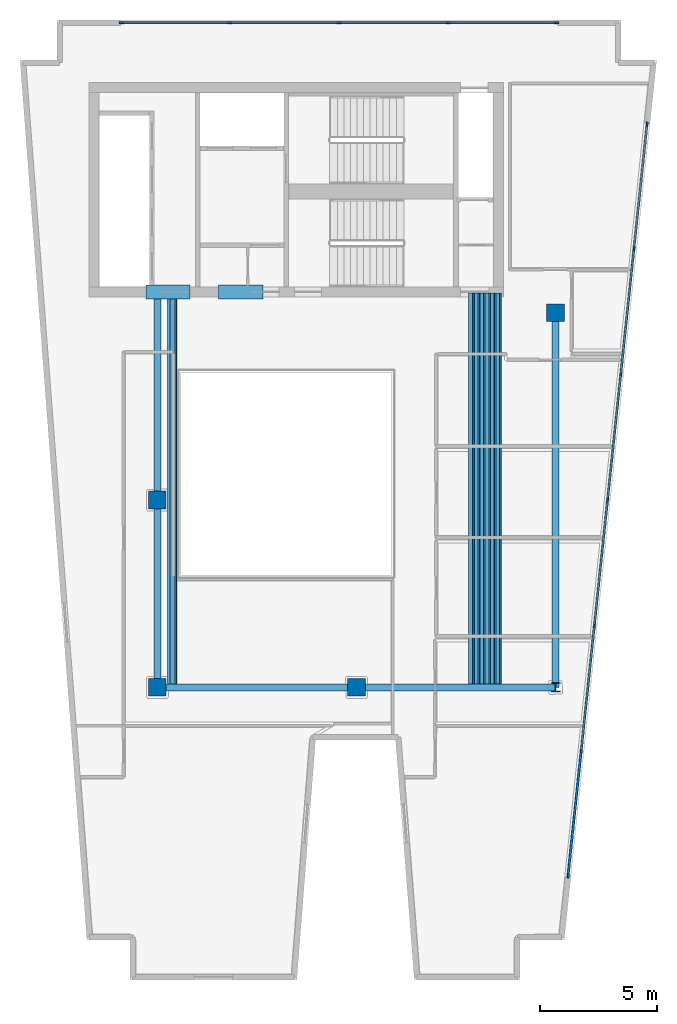
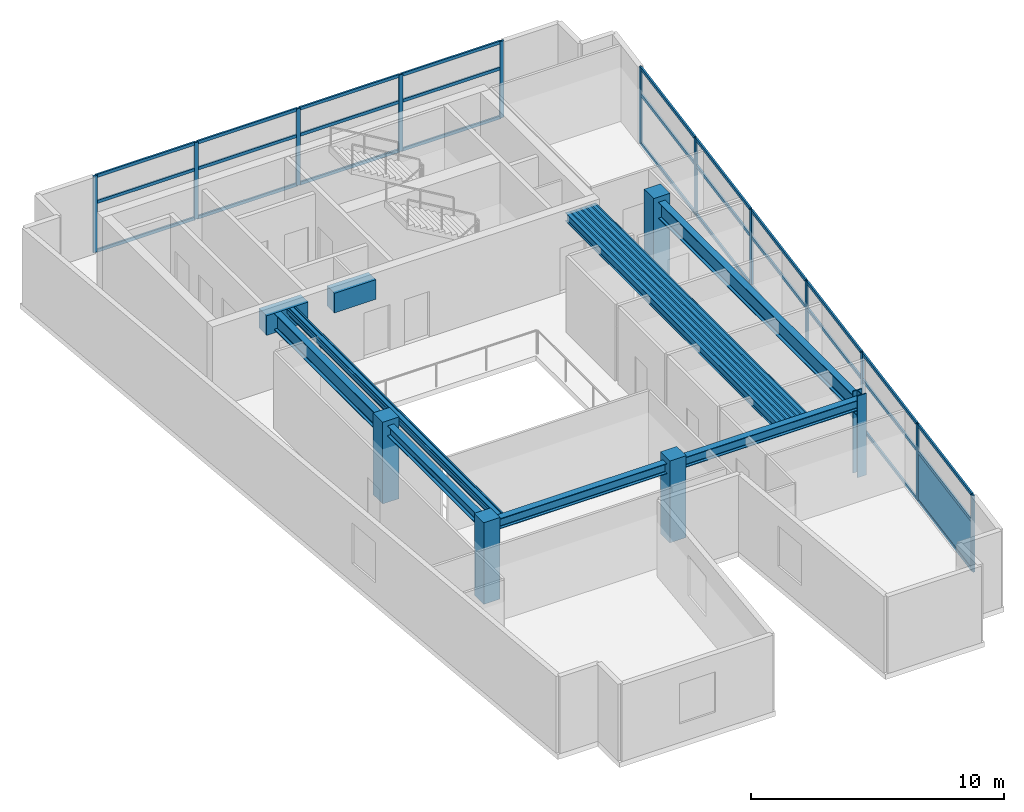
# One storey, part 1 of 6: 42 members, 22 beams, 5 columns, 1 plate, 2 elements without a shape of their own.
"""IFC4 building model written with IfcOpenShell, lengths in metres."""

from ifc_helpers import new_model, si_unit, direction, frame, origin, origin_2d, place, context, subcontext, project, spatial, rectangle, hollow_rectangle, i_section, extrude, material, layer, layer_set, material_profile, profile_set, type_object, element, aggregate, save


model = new_model("IFC4")

# Units and contexts
model_context = context("Model", 3, precision=1e-05, world=origin(), true_north=direction((0.0, 1.0)))
body_context = subcontext(model_context, "Body", "Model", "MODEL_VIEW")
ifc_project = project(units=[si_unit("LENGTHUNIT", "METRE"), si_unit("AREAUNIT", "SQUARE_METRE"), si_unit("VOLUMEUNIT", "CUBIC_METRE"), si_unit("PLANEANGLEUNIT", "RADIAN"), si_unit("MASSUNIT", "GRAM", prefix="KILO")], contexts=[model_context])

# Site, building, storey
site_placement = place(None, origin())
site = spatial("IfcSite", under=ifc_project, at=site_placement, CompositionType="ELEMENT")
building_placement = place(site_placement, origin())
building = spatial("IfcBuilding", under=site, at=building_placement, Name="Caeloran Harvest Quay", CompositionType="ELEMENT")
storey_placement = place(building_placement, frame((0.0, 0.0, 280.39990234375)))
storey = spatial("IfcBuildingStorey", under=building, at=storey_placement, Name="L67", CompositionType="ELEMENT", Elevation=280.39990234375)

# Columns
ifc_material_1 = material(Name="Concrete C60/75", Category="concrete")
ifc_material_profile_1 = material_profile(ifc_material_1, rectangle(XDim=0.75, YDim=0.75, at=origin_2d()), Name="RC 750x750")
ifc_profile_set_1 = profile_set([ifc_material_profile_1], Name="Concrete C60/75")
column_type_1 = type_object("IfcColumnType", Name="COL-MC-5-RC_750x750", PredefinedType="COLUMN", material=ifc_profile_set_1)
for number, where, z_axis, x_axis, name in (
    (1, (8.5, 15.0, 0.0), (0.0, 0.0, 1.0), (1.0, 0.0, 0.0), "L67 Structural Column (8.5, 15.0)"),
    (2, (8.5, 23.0, 0.0), (0.0, 0.0, 1.0), (1.0, 0.0, 0.0), "L67 Structural Column (8.5, 23.0)"),
    (3, (17.0, 15.0, 0.0), (0.0, 0.0, 1.0), (1.0, 0.0, 0.0), "L67 Structural Column (17.0, 15.0)"),
    (4, (25.5, 31.0, 0.0), (0.0, 0.0, 1.0), (1.0, 0.0, 0.0), "L67 Structural Column (25.5, 31.0)"),
):
    element("IfcColumn", number, at=place(storey_placement, frame(where, z_axis=z_axis, x_axis=x_axis)), inside=storey, type_object=column_type_1, Name=name, PredefinedType="COLUMN", context=body_context, shape_type="SweptSolid", body=[
        extrude(rectangle(XDim=0.75, YDim=0.75, at=origin_2d()), origin(), (0.0, 0.0, 1.0), 3.9501953125),
    ])
ifc_material_2 = material(Name="Steel HISTAR 460", Category="steel")
ifc_material_profile_2 = material_profile(ifc_material_2, i_section(OverallWidth=0.406005859375, OverallDepth=0.416015625, WebThickness=0.02978515625, FlangeThickness=0.048095703125, FilletRadius=0.014892578125, at=origin_2d()), Name="HD 400x382")
ifc_profile_set_2 = profile_set([ifc_material_profile_2], Name="Steel HISTAR 460")
column_type_2 = type_object("IfcColumnType", Name="COL-SC-5-HD_400x382", PredefinedType="COLUMN", material=ifc_profile_set_2)
column_placement = place(storey_placement, frame((25.5, 15.0, 0.0), z_axis=(0.0, 0.0, 1.0), x_axis=(1.0, 0.0, 0.0)))
element("IfcColumn", 5, at=column_placement, inside=storey, type_object=column_type_2, Name="L67 Structural Column (25.5, 15.0)", PredefinedType="COLUMN", context=body_context, shape_type="SweptSolid", body=[
    extrude(i_section(OverallWidth=0.406005859375, OverallDepth=0.416015625, WebThickness=0.02978515625, FlangeThickness=0.048095703125, FilletRadius=0.014892578125, at=origin_2d()), origin(), (0.0, 0.0, 1.0), 3.9501953125),
])

# Beams
ifc_material_profile_3 = material_profile(ifc_material_1, rectangle(XDim=0.60009765625, YDim=0.949951171875, at=origin_2d()), Name="RC 600x950")
ifc_profile_set_3 = profile_set([ifc_material_profile_3], Name="Concrete C60/75")
beam_type_1 = type_object("IfcBeamType", Name="BM-CB-2-RC_600x950", PredefinedType="LINTEL", material=ifc_profile_set_3)
for number, where, z_axis, x_axis, name in (
    (6, (8.0, 31.889892578125, 3.22509765625), (1.0, 0.0, 0.0), (0.0, 1.0, 0.0), "L67 Core Coupling Beam 1"),
    (7, (11.10009765625, 31.889892578125, 3.22509765625), (1.0, 0.0, 0.0), (0.0, 1.0, 0.0), "L67 Core Coupling Beam 2"),
):
    element("IfcBeam", number, at=place(storey_placement, frame(where, z_axis=z_axis, x_axis=x_axis)), inside=storey, type_object=beam_type_1, Name=name, PredefinedType="LINTEL", context=body_context, shape_type="SweptSolid", body=[
        extrude(rectangle(XDim=0.60009765625, YDim=0.949951171875, at=origin_2d()), origin(), (0.0, 0.0, 1.0), 1.89990234375),
    ])
ifc_material_3 = material(Name="Steel S355J2", Category="steel")
ifc_material_profile_4 = material_profile(ifc_material_3, i_section(OverallWidth=0.300048828125, OverallDepth=0.800048828125, WebThickness=0.017578125, FlangeThickness=0.032958984375, FilletRadius=0.030029296875, at=origin_2d()), Name="HE 800 B")
ifc_profile_set_4 = profile_set([ifc_material_profile_4], Name="Steel S355J2")
beam_type_2 = type_object("IfcBeamType", Name="BM-PG-1-HE_800_B", PredefinedType="BEAM", material=ifc_profile_set_4)
beam_1_placement = place(storey_placement, frame((8.5, 23.0, 3.300048828125), z_axis=(0.0, 1.0, 0.0), x_axis=(-1.0, 0.0, 0.0)))
element("IfcBeam", 8, at=beam_1_placement, inside=storey, type_object=beam_type_2, Name="L67 Core South Tie Girder X=8.5", PredefinedType="BEAM", context=body_context, shape_type="SweptSolid", body=[
    extrude(i_section(OverallWidth=0.300048828125, OverallDepth=0.800048828125, WebThickness=0.017578125, FlangeThickness=0.032958984375, FilletRadius=0.030029296875, at=origin_2d()), origin(), (0.0, 0.0, 1.0), 8.840087890625),
])
beam_2_placement = place(storey_placement, frame((25.5, 15.0, 3.300048828125), z_axis=(0.0, 1.0, 0.0), x_axis=(-1.0, 0.0, 0.0)))
element("IfcBeam", 9, at=beam_2_placement, inside=storey, type_object=beam_type_2, Name="L67 Primary North-South Girder X=25.5", PredefinedType="BEAM", context=body_context, shape_type="SweptSolid", body=[
    extrude(i_section(OverallWidth=0.300048828125, OverallDepth=0.800048828125, WebThickness=0.017578125, FlangeThickness=0.032958984375, FilletRadius=0.030029296875, at=origin_2d()), origin(), (0.0, 0.0, 1.0), 16.0),
])
ifc_material_profile_5 = material_profile(ifc_material_3, i_section(OverallWidth=0.300048828125, OverallDepth=0.5, WebThickness=0.014404296875, FlangeThickness=0.028076171875, FilletRadius=0.027099609375, at=origin_2d()), Name="HE 500 B")
ifc_profile_set_5 = profile_set([ifc_material_profile_5], Name="Steel S355J2")
beam_type_3 = type_object("IfcBeamType", Name="BM-PG-4-HE_500_B", PredefinedType="BEAM", material=ifc_profile_set_5)
for number, where, z_axis, x_axis, name in (
    (10, (8.5, 15.0, 3.4501953125), (1.0, 0.0, 0.0), (0.0, 1.0, 0.0), "L67 Primary East-West Girder Y=15.0"),
    (11, (17.0, 15.0, 3.4501953125), (1.0, 0.0, 0.0), (0.0, 1.0, 0.0), "L67 Primary East-West Girder Y=15.0"),
):
    element("IfcBeam", number, at=place(storey_placement, frame(where, z_axis=z_axis, x_axis=x_axis)), inside=storey, type_object=beam_type_3, Name=name, PredefinedType="BEAM", context=body_context, shape_type="SweptSolid", body=[
        extrude(i_section(OverallWidth=0.300048828125, OverallDepth=0.5, WebThickness=0.014404296875, FlangeThickness=0.028076171875, FilletRadius=0.027099609375, at=origin_2d()), origin(), (0.0, 0.0, 1.0), 8.5),
    ])
beam_3_placement = place(storey_placement, frame((8.5, 15.0, 3.4501953125), z_axis=(0.0, 1.0, 0.0), x_axis=(-1.0, 0.0, 0.0)))
element("IfcBeam", 12, at=beam_3_placement, inside=storey, type_object=beam_type_3, Name="L67 Primary North-South Girder X=8.5", PredefinedType="BEAM", context=body_context, shape_type="SweptSolid", body=[
    extrude(i_section(OverallWidth=0.300048828125, OverallDepth=0.5, WebThickness=0.014404296875, FlangeThickness=0.028076171875, FilletRadius=0.027099609375, at=origin_2d()), origin(), (0.0, 0.0, 1.0), 8.0),
])
ifc_material_profile_6 = material_profile(ifc_material_3, i_section(OverallWidth=0.179931640625, OverallDepth=0.39990234375, WebThickness=0.008544921875, FlangeThickness=0.013427734375, FilletRadius=0.02099609375, at=origin_2d()), Name="IPE 400")
ifc_profile_set_6 = profile_set([ifc_material_profile_6], Name="Steel S355J2")
beam_type_4 = type_object("IfcBeamType", Name="BM-SB-4-IPE_400", PredefinedType="JOIST", material=ifc_profile_set_6)
for number, where, z_axis, x_axis, name in (
    (13, (9.129638671875, 15.14501953125, 3.5), (0.0, 1.0, 0.0), (-1.0, 0.0, 0.0), "L67 Secondary Composite Joist"),
    (14, (21.876708984375, 15.14501953125, 3.5), (0.0, 1.0, 0.0), (-1.0, 0.0, 0.0), "L67 Secondary Composite Joist"),
    (15, (22.10888671875, 15.14501953125, 3.5), (0.0, 1.0, 0.0), (-1.0, 0.0, 0.0), "L67 Secondary Composite Joist"),
    (16, (22.341064453125, 15.14501953125, 3.5), (0.0, 1.0, 0.0), (-1.0, 0.0, 0.0), "L67 Secondary Composite Joist"),
    (17, (22.5732421875, 15.14501953125, 3.5), (0.0, 1.0, 0.0), (-1.0, 0.0, 0.0), "L67 Secondary Composite Joist"),
    (18, (22.8056640625, 15.14501953125, 3.5), (0.0, 1.0, 0.0), (-1.0, 0.0, 0.0), "L67 Secondary Composite Joist"),
    (19, (23.037841796875, 15.14501953125, 3.5), (0.0, 1.0, 0.0), (-1.0, 0.0, 0.0), "L67 Secondary Composite Joist"),
):
    element("IfcBeam", number, at=place(storey_placement, frame(where, z_axis=z_axis, x_axis=x_axis)), inside=storey, type_object=beam_type_4, Name=name, PredefinedType="JOIST", context=body_context, shape_type="SweptSolid", body=[
        extrude(i_section(OverallWidth=0.179931640625, OverallDepth=0.39990234375, WebThickness=0.008544921875, FlangeThickness=0.013427734375, FilletRadius=0.02099609375, at=origin_2d()), origin(), (0.0, 0.0, 1.0), 16.695068359375),
    ])
ifc_material_profile_7 = material_profile(ifc_material_3, hollow_rectangle(XDim=0.080078125, YDim=0.199951171875, WallThickness=0.006103515625, InnerFilletRadius=0.006103515625, OuterFilletRadius=0.009033203125, at=origin_2d()), Name="RHS 200x80x6")
ifc_profile_set_7 = profile_set([ifc_material_profile_7], Name="Steel S355J2")
beam_type_5 = type_object("IfcBeamType", Name="BM-SB-7-RHS_200x80x6", PredefinedType="JOIST", material=ifc_profile_set_7)
for number, where, z_axis, x_axis, name in (
    (20, (8.97216796875, 15.14501953125, 3.60009765625), (0.0, 1.0, 0.0), (-1.0, 0.0, 0.0), "L67 Secondary Composite Joist"),
    (21, (9.287109375, 15.14501953125, 3.60009765625), (0.0, 1.0, 0.0), (-1.0, 0.0, 0.0), "L67 Secondary Composite Joist"),
    (22, (21.992919921875, 15.14501953125, 3.60009765625), (0.0, 1.0, 0.0), (-1.0, 0.0, 0.0), "L67 Secondary Composite Joist"),
    (23, (22.22509765625, 15.14501953125, 3.60009765625), (0.0, 1.0, 0.0), (-1.0, 0.0, 0.0), "L67 Secondary Composite Joist"),
    (24, (22.457275390625, 15.14501953125, 3.60009765625), (0.0, 1.0, 0.0), (-1.0, 0.0, 0.0), "L67 Secondary Composite Joist"),
    (25, (22.689453125, 15.14501953125, 3.60009765625), (0.0, 1.0, 0.0), (-1.0, 0.0, 0.0), "L67 Secondary Composite Joist"),
    (26, (22.921630859375, 15.14501953125, 3.60009765625), (0.0, 1.0, 0.0), (-1.0, 0.0, 0.0), "L67 Secondary Composite Joist"),
    (27, (23.15380859375, 15.14501953125, 3.60009765625), (0.0, 1.0, 0.0), (-1.0, 0.0, 0.0), "L67 Secondary Composite Joist"),
):
    element("IfcBeam", number, at=place(storey_placement, frame(where, z_axis=z_axis, x_axis=x_axis)), inside=storey, type_object=beam_type_5, Name=name, PredefinedType="JOIST", context=body_context, shape_type="SweptSolid", body=[
        extrude(hollow_rectangle(XDim=0.080078125, YDim=0.199951171875, WallThickness=0.006103515625, InnerFilletRadius=0.006103515625, OuterFilletRadius=0.009033203125, at=origin_2d()), origin(), (0.0, 0.0, 1.0), 16.695068359375),
    ])

# Curtain wall, members
ifc_material_4 = material(Name="Aluminium 6063-T6 and Low-E Glazing", Category="aluminium")
ifc_layer_1 = layer(ifc_material_4, 0.219970703125, Name="Aluminium 6063-T6 and Low-E Glazing")
ifc_layer_set_1 = layer_set([ifc_layer_1], Name="Aluminium 6063-T6 and Low-E Glazing")
curtain_wall_type = type_object("IfcCurtainWallType", Name="CW-SYS-CW-5", PredefinedType="USERDEFINED", material=ifc_layer_set_1)
curtain_wall_1_placement = place(storey_placement, origin())
curtain_wall_1 = element("IfcCurtainWall", 28, at=curtain_wall_1_placement, inside=storey, type_object=curtain_wall_type, Name="L67 Unitised Curtain Wall CW-5 Run 6", ObjectType="CURTAIN_WALL", PredefinedType="USERDEFINED")
ifc_material_5 = material(Name="Aluminium 6063-T6", Category="aluminium")
ifc_material_profile_8 = material_profile(ifc_material_5, rectangle(XDim=0.080078125, YDim=0.179931640625, at=origin_2d()), Name="CW-MULLION-180")
ifc_profile_set_8 = profile_set([ifc_material_profile_8], Name="Aluminium 6063-T6")
member_type_1 = type_object("IfcMemberType", Name="CW-MULLION-180", PredefinedType="MULLION", material=ifc_profile_set_8)
member_1_placement = place(storey_placement, frame((6.9599609375, 43.3798828125, 0.0), z_axis=(0.0, 0.0, 1.0), x_axis=(0.0, 1.0, 0.0)))
member_1 = element("IfcMember", 29, at=member_1_placement, type_object=member_type_1, Name="CW-5 mullion 1", PredefinedType="MULLION", context=body_context, shape_type="SweptSolid", body=[
    extrude(rectangle(XDim=0.080078125, YDim=0.179931640625, at=origin_2d()), origin(), (0.0, 0.0, 1.0), 3.7001953125),
])
member_2_placement = place(storey_placement, frame((11.5849609375, 43.3798828125, 0.0), z_axis=(0.0, 0.0, 1.0), x_axis=(0.0, 1.0, 0.0)))
member_2 = element("IfcMember", 30, at=member_2_placement, type_object=member_type_1, Name="CW-5 mullion 2", PredefinedType="MULLION", context=body_context, shape_type="SweptSolid", body=[
    extrude(rectangle(XDim=0.080078125, YDim=0.179931640625, at=origin_2d()), origin(), (0.0, 0.0, 1.0), 3.7001953125),
])
member_3_placement = place(storey_placement, frame((16.25, 43.3798828125, 0.0), z_axis=(0.0, 0.0, 1.0), x_axis=(0.0, 1.0, 0.0)))
member_3 = element("IfcMember", 31, at=member_3_placement, type_object=member_type_1, Name="CW-5 mullion 3", PredefinedType="MULLION", context=body_context, shape_type="SweptSolid", body=[
    extrude(rectangle(XDim=0.080078125, YDim=0.179931640625, at=origin_2d()), origin(), (0.0, 0.0, 1.0), 3.7001953125),
])
member_4_placement = place(storey_placement, frame((20.9150390625, 43.3798828125, 0.0), z_axis=(0.0, 0.0, 1.0), x_axis=(0.0, 1.0, 0.0)))
member_4 = element("IfcMember", 32, at=member_4_placement, type_object=member_type_1, Name="CW-5 mullion 4", PredefinedType="MULLION", context=body_context, shape_type="SweptSolid", body=[
    extrude(rectangle(XDim=0.080078125, YDim=0.179931640625, at=origin_2d()), origin(), (0.0, 0.0, 1.0), 3.7001953125),
])
member_5_placement = place(storey_placement, frame((25.5400390625, 43.3798828125, 0.0), z_axis=(0.0, 0.0, 1.0), x_axis=(0.0, 1.0, 0.0)))
member_5 = element("IfcMember", 33, at=member_5_placement, type_object=member_type_1, Name="CW-5 mullion 5", PredefinedType="MULLION", context=body_context, shape_type="SweptSolid", body=[
    extrude(rectangle(XDim=0.080078125, YDim=0.179931640625, at=origin_2d()), origin(), (0.0, 0.0, 1.0), 3.7001953125),
])

curtain_wall_2_placement = place(storey_placement, origin())
curtain_wall_2 = element("IfcCurtainWall", 34, at=curtain_wall_2_placement, inside=storey, type_object=curtain_wall_type, Name="L67 Unitised Curtain Wall CW-5 Run 9", ObjectType="CURTAIN_WALL", PredefinedType="USERDEFINED")
member_6_placement = place(storey_placement, frame((29.412353515625, 39.054443359375, 0.0), z_axis=(0.0, 0.0, 1.0), x_axis=(0.994529078655, -0.104460096251, 0.0)))
member_6 = element("IfcMember", 35, at=member_6_placement, type_object=member_type_1, Name="CW-5 mullion 1", PredefinedType="MULLION", context=body_context, shape_type="SweptSolid", body=[
    extrude(rectangle(XDim=0.080078125, YDim=0.179931640625, at=origin_2d()), origin(), (0.0, 0.0, 1.0), 3.7001953125),
])
member_7_placement = place(storey_placement, frame((28.85302734375, 33.7294921875, 0.0), z_axis=(0.0, 0.0, 1.0), x_axis=(0.994529078655, -0.104460096251, 0.0)))
member_7 = element("IfcMember", 36, at=member_7_placement, type_object=member_type_1, Name="CW-5 mullion 2", PredefinedType="MULLION", context=body_context, shape_type="SweptSolid", body=[
    extrude(rectangle(XDim=0.080078125, YDim=0.179931640625, at=origin_2d()), origin(), (0.0, 0.0, 1.0), 3.7001953125),
])
member_8_placement = place(storey_placement, frame((28.28955078125, 28.36474609375, 0.0), z_axis=(0.0, 0.0, 1.0), x_axis=(0.994529078655, -0.104460096251, 0.0)))
member_8 = element("IfcMember", 37, at=member_8_placement, type_object=member_type_1, Name="CW-5 mullion 3", PredefinedType="MULLION", context=body_context, shape_type="SweptSolid", body=[
    extrude(rectangle(XDim=0.080078125, YDim=0.179931640625, at=origin_2d()), origin(), (0.0, 0.0, 1.0), 3.7001953125),
])
member_9_placement = place(storey_placement, frame((27.72607421875, 23.0, 0.0), z_axis=(0.0, 0.0, 1.0), x_axis=(0.994529078655, -0.104460096251, 0.0)))
member_9 = element("IfcMember", 38, at=member_9_placement, type_object=member_type_1, Name="CW-5 mullion 4", PredefinedType="MULLION", context=body_context, shape_type="SweptSolid", body=[
    extrude(rectangle(XDim=0.080078125, YDim=0.179931640625, at=origin_2d()), origin(), (0.0, 0.0, 1.0), 3.7001953125),
])
member_10_placement = place(storey_placement, frame((27.16259765625, 17.63525390625, 0.0), z_axis=(0.0, 0.0, 1.0), x_axis=(0.994529078655, -0.104460096251, 0.0)))
member_10 = element("IfcMember", 39, at=member_10_placement, type_object=member_type_1, Name="CW-5 mullion 5", PredefinedType="MULLION", context=body_context, shape_type="SweptSolid", body=[
    extrude(rectangle(XDim=0.080078125, YDim=0.179931640625, at=origin_2d()), origin(), (0.0, 0.0, 1.0), 3.7001953125),
])
member_11_placement = place(storey_placement, frame((26.59912109375, 12.2705078125, 0.0), z_axis=(0.0, 0.0, 1.0), x_axis=(0.994529078655, -0.104460096251, 0.0)))
member_11 = element("IfcMember", 40, at=member_11_placement, type_object=member_type_1, Name="CW-5 mullion 6", PredefinedType="MULLION", context=body_context, shape_type="SweptSolid", body=[
    extrude(rectangle(XDim=0.080078125, YDim=0.179931640625, at=origin_2d()), origin(), (0.0, 0.0, 1.0), 3.7001953125),
])
member_12_placement = place(storey_placement, frame((26.039794921875, 6.945556640625, 0.0), z_axis=(0.0, 0.0, 1.0), x_axis=(0.994529078655, -0.104460096251, 0.0)))
member_12 = element("IfcMember", 41, at=member_12_placement, type_object=member_type_1, Name="CW-5 mullion 7", PredefinedType="MULLION", context=body_context, shape_type="SweptSolid", body=[
    extrude(rectangle(XDim=0.080078125, YDim=0.179931640625, at=origin_2d()), origin(), (0.0, 0.0, 1.0), 3.7001953125),
])

# Member
ifc_material_profile_9 = material_profile(ifc_material_5, rectangle(XDim=0.080078125, YDim=0.14990234375, at=origin_2d()), Name="CW-TRANSOM-150")
ifc_profile_set_9 = profile_set([ifc_material_profile_9], Name="Aluminium 6063-T6")
member_type_2 = type_object("IfcMemberType", Name="CW-TRANSOM-150", PredefinedType="USERDEFINED", material=ifc_profile_set_9)
member_13_placement = place(storey_placement, frame((7.0, 43.3798828125, 0.0400390625), z_axis=(1.0, 0.0, 0.0), x_axis=(0.0, 1.0, 0.0)))
member_13 = element("IfcMember", 42, at=member_13_placement, type_object=member_type_2, Name="CW-5 transom 1.1", ObjectType="TRANSOM", PredefinedType="USERDEFINED", context=body_context, shape_type="SweptSolid", body=[
    extrude(rectangle(XDim=0.080078125, YDim=0.14990234375, at=origin_2d()), origin(), (0.0, 0.0, 1.0), 4.544921875),
])

member_14_placement = place(storey_placement, frame((7.0, 43.3798828125, 2.400146484375), z_axis=(1.0, 0.0, 0.0), x_axis=(0.0, 1.0, 0.0)))
member_14 = element("IfcMember", 43, at=member_14_placement, type_object=member_type_2, Name="CW-5 transom 1.2", ObjectType="TRANSOM", PredefinedType="USERDEFINED", context=body_context, shape_type="SweptSolid", body=[
    extrude(rectangle(XDim=0.080078125, YDim=0.14990234375, at=origin_2d()), origin(), (0.0, 0.0, 1.0), 4.544921875),
])

member_15_placement = place(storey_placement, frame((7.0, 43.3798828125, 3.66015625), z_axis=(1.0, 0.0, 0.0), x_axis=(0.0, 1.0, 0.0)))
member_15 = element("IfcMember", 44, at=member_15_placement, type_object=member_type_2, Name="CW-5 transom 1.3", ObjectType="TRANSOM", PredefinedType="USERDEFINED", context=body_context, shape_type="SweptSolid", body=[
    extrude(rectangle(XDim=0.080078125, YDim=0.14990234375, at=origin_2d()), origin(), (0.0, 0.0, 1.0), 4.544921875),
])

member_16_placement = place(storey_placement, frame((11.625, 43.3798828125, 0.0400390625), z_axis=(1.0, 0.0, 0.0), x_axis=(0.0, 1.0, 0.0)))
member_16 = element("IfcMember", 45, at=member_16_placement, type_object=member_type_2, Name="CW-5 transom 2.1", ObjectType="TRANSOM", PredefinedType="USERDEFINED", context=body_context, shape_type="SweptSolid", body=[
    extrude(rectangle(XDim=0.080078125, YDim=0.14990234375, at=origin_2d()), origin(), (0.0, 0.0, 1.0), 4.5849609375),
])

member_17_placement = place(storey_placement, frame((11.625, 43.3798828125, 2.400146484375), z_axis=(1.0, 0.0, 0.0), x_axis=(0.0, 1.0, 0.0)))
member_17 = element("IfcMember", 46, at=member_17_placement, type_object=member_type_2, Name="CW-5 transom 2.2", ObjectType="TRANSOM", PredefinedType="USERDEFINED", context=body_context, shape_type="SweptSolid", body=[
    extrude(rectangle(XDim=0.080078125, YDim=0.14990234375, at=origin_2d()), origin(), (0.0, 0.0, 1.0), 4.5849609375),
])

member_18_placement = place(storey_placement, frame((11.625, 43.3798828125, 3.66015625), z_axis=(1.0, 0.0, 0.0), x_axis=(0.0, 1.0, 0.0)))
member_18 = element("IfcMember", 47, at=member_18_placement, type_object=member_type_2, Name="CW-5 transom 2.3", ObjectType="TRANSOM", PredefinedType="USERDEFINED", context=body_context, shape_type="SweptSolid", body=[
    extrude(rectangle(XDim=0.080078125, YDim=0.14990234375, at=origin_2d()), origin(), (0.0, 0.0, 1.0), 4.5849609375),
])

member_19_placement = place(storey_placement, frame((16.2900390625, 43.3798828125, 0.0400390625), z_axis=(1.0, 0.0, 0.0), x_axis=(0.0, 1.0, 0.0)))
member_19 = element("IfcMember", 48, at=member_19_placement, type_object=member_type_2, Name="CW-5 transom 3.1", ObjectType="TRANSOM", PredefinedType="USERDEFINED", context=body_context, shape_type="SweptSolid", body=[
    extrude(rectangle(XDim=0.080078125, YDim=0.14990234375, at=origin_2d()), origin(), (0.0, 0.0, 1.0), 4.5849609375),
])

member_20_placement = place(storey_placement, frame((16.2900390625, 43.3798828125, 2.400146484375), z_axis=(1.0, 0.0, 0.0), x_axis=(0.0, 1.0, 0.0)))
member_20 = element("IfcMember", 49, at=member_20_placement, type_object=member_type_2, Name="CW-5 transom 3.2", ObjectType="TRANSOM", PredefinedType="USERDEFINED", context=body_context, shape_type="SweptSolid", body=[
    extrude(rectangle(XDim=0.080078125, YDim=0.14990234375, at=origin_2d()), origin(), (0.0, 0.0, 1.0), 4.5849609375),
])

member_21_placement = place(storey_placement, frame((16.2900390625, 43.3798828125, 3.66015625), z_axis=(1.0, 0.0, 0.0), x_axis=(0.0, 1.0, 0.0)))
member_21 = element("IfcMember", 50, at=member_21_placement, type_object=member_type_2, Name="CW-5 transom 3.3", ObjectType="TRANSOM", PredefinedType="USERDEFINED", context=body_context, shape_type="SweptSolid", body=[
    extrude(rectangle(XDim=0.080078125, YDim=0.14990234375, at=origin_2d()), origin(), (0.0, 0.0, 1.0), 4.5849609375),
])

member_22_placement = place(storey_placement, frame((20.955078125, 43.3798828125, 0.0400390625), z_axis=(1.0, 0.0, 0.0), x_axis=(0.0, 1.0, 0.0)))
member_22 = element("IfcMember", 51, at=member_22_placement, type_object=member_type_2, Name="CW-5 transom 4.1", ObjectType="TRANSOM", PredefinedType="USERDEFINED", context=body_context, shape_type="SweptSolid", body=[
    extrude(rectangle(XDim=0.080078125, YDim=0.14990234375, at=origin_2d()), origin(), (0.0, 0.0, 1.0), 4.544921875),
])

member_23_placement = place(storey_placement, frame((20.955078125, 43.3798828125, 2.400146484375), z_axis=(1.0, 0.0, 0.0), x_axis=(0.0, 1.0, 0.0)))
member_23 = element("IfcMember", 52, at=member_23_placement, type_object=member_type_2, Name="CW-5 transom 4.2", ObjectType="TRANSOM", PredefinedType="USERDEFINED", context=body_context, shape_type="SweptSolid", body=[
    extrude(rectangle(XDim=0.080078125, YDim=0.14990234375, at=origin_2d()), origin(), (0.0, 0.0, 1.0), 4.544921875),
])

member_24_placement = place(storey_placement, frame((20.955078125, 43.3798828125, 3.66015625), z_axis=(1.0, 0.0, 0.0), x_axis=(0.0, 1.0, 0.0)))
member_24 = element("IfcMember", 53, at=member_24_placement, type_object=member_type_2, Name="CW-5 transom 4.3", ObjectType="TRANSOM", PredefinedType="USERDEFINED", context=body_context, shape_type="SweptSolid", body=[
    extrude(rectangle(XDim=0.080078125, YDim=0.14990234375, at=origin_2d()), origin(), (0.0, 0.0, 1.0), 4.544921875),
])

aggregate(curtain_wall_1, [member_1, member_2, member_3, member_4, member_5, member_13, member_14, member_15, member_16, member_17, member_18, member_19, member_20, member_21, member_22, member_23, member_24])

member_25_placement = place(storey_placement, frame((29.408203125, 39.0146484375, 0.0400390625), z_axis=(-0.104475148335, -0.994527497549, 0.0), x_axis=(0.994527497549, -0.104475148335, 0.0)))
member_25 = element("IfcMember", 54, at=member_25_placement, type_object=member_type_2, Name="CW-5 transom 1.1", ObjectType="TRANSOM", PredefinedType="USERDEFINED", context=body_context, shape_type="SweptSolid", body=[
    extrude(rectangle(XDim=0.080078125, YDim=0.14990234375, at=origin_2d()), origin(), (0.0, 0.0, 1.0), 5.274169921875),
])

member_26_placement = place(storey_placement, frame((29.408203125, 39.0146484375, 2.400146484375), z_axis=(-0.104475148335, -0.994527497549, 0.0), x_axis=(0.994527497549, -0.104475148335, 0.0)))
member_26 = element("IfcMember", 55, at=member_26_placement, type_object=member_type_2, Name="CW-5 transom 1.2", ObjectType="TRANSOM", PredefinedType="USERDEFINED", context=body_context, shape_type="SweptSolid", body=[
    extrude(rectangle(XDim=0.080078125, YDim=0.14990234375, at=origin_2d()), origin(), (0.0, 0.0, 1.0), 5.274169921875),
])

member_27_placement = place(storey_placement, frame((29.408203125, 39.0146484375, 3.66015625), z_axis=(-0.104475148335, -0.994527497549, 0.0), x_axis=(0.994527497549, -0.104475148335, 0.0)))
member_27 = element("IfcMember", 56, at=member_27_placement, type_object=member_type_2, Name="CW-5 transom 1.3", ObjectType="TRANSOM", PredefinedType="USERDEFINED", context=body_context, shape_type="SweptSolid", body=[
    extrude(rectangle(XDim=0.080078125, YDim=0.14990234375, at=origin_2d()), origin(), (0.0, 0.0, 1.0), 5.274169921875),
])

member_28_placement = place(storey_placement, frame((28.848876953125, 33.689697265625, 0.0400390625), z_axis=(-0.104469552209, -0.994528085406, 0.0), x_axis=(0.994528085406, -0.104469552209, 0.0)))
member_28 = element("IfcMember", 57, at=member_28_placement, type_object=member_type_2, Name="CW-5 transom 2.1", ObjectType="TRANSOM", PredefinedType="USERDEFINED", context=body_context, shape_type="SweptSolid", body=[
    extrude(rectangle(XDim=0.080078125, YDim=0.14990234375, at=origin_2d()), origin(), (0.0, 0.0, 1.0), 5.314208984375),
])

member_29_placement = place(storey_placement, frame((28.848876953125, 33.689697265625, 2.400146484375), z_axis=(-0.104469552209, -0.994528085406, 0.0), x_axis=(0.994528085406, -0.104469552209, 0.0)))
member_29 = element("IfcMember", 58, at=member_29_placement, type_object=member_type_2, Name="CW-5 transom 2.2", ObjectType="TRANSOM", PredefinedType="USERDEFINED", context=body_context, shape_type="SweptSolid", body=[
    extrude(rectangle(XDim=0.080078125, YDim=0.14990234375, at=origin_2d()), origin(), (0.0, 0.0, 1.0), 5.314208984375),
])

member_30_placement = place(storey_placement, frame((28.848876953125, 33.689697265625, 3.66015625), z_axis=(-0.104469552209, -0.994528085406, 0.0), x_axis=(0.994528085406, -0.104469552209, 0.0)))
member_30 = element("IfcMember", 59, at=member_30_placement, type_object=member_type_2, Name="CW-5 transom 2.3", ObjectType="TRANSOM", PredefinedType="USERDEFINED", context=body_context, shape_type="SweptSolid", body=[
    extrude(rectangle(XDim=0.080078125, YDim=0.14990234375, at=origin_2d()), origin(), (0.0, 0.0, 1.0), 5.314208984375),
])

member_31_placement = place(storey_placement, frame((28.285400390625, 28.324951171875, 0.0400390625), z_axis=(-0.104469552209, -0.994528085406, 0.0), x_axis=(0.994528085406, -0.104469552209, 0.0)))
member_31 = element("IfcMember", 60, at=member_31_placement, type_object=member_type_2, Name="CW-5 transom 3.1", ObjectType="TRANSOM", PredefinedType="USERDEFINED", context=body_context, shape_type="SweptSolid", body=[
    extrude(rectangle(XDim=0.080078125, YDim=0.14990234375, at=origin_2d()), origin(), (0.0, 0.0, 1.0), 5.314208984375),
])

member_32_placement = place(storey_placement, frame((28.285400390625, 28.324951171875, 2.400146484375), z_axis=(-0.104469552209, -0.994528085406, 0.0), x_axis=(0.994528085406, -0.104469552209, 0.0)))
member_32 = element("IfcMember", 61, at=member_32_placement, type_object=member_type_2, Name="CW-5 transom 3.2", ObjectType="TRANSOM", PredefinedType="USERDEFINED", context=body_context, shape_type="SweptSolid", body=[
    extrude(rectangle(XDim=0.080078125, YDim=0.14990234375, at=origin_2d()), origin(), (0.0, 0.0, 1.0), 5.314208984375),
])

member_33_placement = place(storey_placement, frame((28.285400390625, 28.324951171875, 3.66015625), z_axis=(-0.104469552209, -0.994528085406, 0.0), x_axis=(0.994528085406, -0.104469552209, 0.0)))
member_33 = element("IfcMember", 62, at=member_33_placement, type_object=member_type_2, Name="CW-5 transom 3.3", ObjectType="TRANSOM", PredefinedType="USERDEFINED", context=body_context, shape_type="SweptSolid", body=[
    extrude(rectangle(XDim=0.080078125, YDim=0.14990234375, at=origin_2d()), origin(), (0.0, 0.0, 1.0), 5.314208984375),
])

member_34_placement = place(storey_placement, frame((27.721923828125, 22.960205078125, 0.0400390625), z_axis=(-0.104469552209, -0.994528085406, 0.0), x_axis=(0.994528085406, -0.104469552209, 0.0)))
member_34 = element("IfcMember", 63, at=member_34_placement, type_object=member_type_2, Name="CW-5 transom 4.1", ObjectType="TRANSOM", PredefinedType="USERDEFINED", context=body_context, shape_type="SweptSolid", body=[
    extrude(rectangle(XDim=0.080078125, YDim=0.14990234375, at=origin_2d()), origin(), (0.0, 0.0, 1.0), 5.314208984375),
])

member_35_placement = place(storey_placement, frame((27.721923828125, 22.960205078125, 2.400146484375), z_axis=(-0.104469552209, -0.994528085406, 0.0), x_axis=(0.994528085406, -0.104469552209, 0.0)))
member_35 = element("IfcMember", 64, at=member_35_placement, type_object=member_type_2, Name="CW-5 transom 4.2", ObjectType="TRANSOM", PredefinedType="USERDEFINED", context=body_context, shape_type="SweptSolid", body=[
    extrude(rectangle(XDim=0.080078125, YDim=0.14990234375, at=origin_2d()), origin(), (0.0, 0.0, 1.0), 5.314208984375),
])

member_36_placement = place(storey_placement, frame((27.721923828125, 22.960205078125, 3.66015625), z_axis=(-0.104469552209, -0.994528085406, 0.0), x_axis=(0.994528085406, -0.104469552209, 0.0)))
member_36 = element("IfcMember", 65, at=member_36_placement, type_object=member_type_2, Name="CW-5 transom 4.3", ObjectType="TRANSOM", PredefinedType="USERDEFINED", context=body_context, shape_type="SweptSolid", body=[
    extrude(rectangle(XDim=0.080078125, YDim=0.14990234375, at=origin_2d()), origin(), (0.0, 0.0, 1.0), 5.314208984375),
])

member_37_placement = place(storey_placement, frame((27.158447265625, 17.595458984375, 0.0400390625), z_axis=(-0.104469552209, -0.994528085406, 0.0), x_axis=(0.994528085406, -0.104469552209, 0.0)))
member_37 = element("IfcMember", 66, at=member_37_placement, type_object=member_type_2, Name="CW-5 transom 5.1", ObjectType="TRANSOM", PredefinedType="USERDEFINED", context=body_context, shape_type="SweptSolid", body=[
    extrude(rectangle(XDim=0.080078125, YDim=0.14990234375, at=origin_2d()), origin(), (0.0, 0.0, 1.0), 5.314208984375),
])

member_38_placement = place(storey_placement, frame((27.158447265625, 17.595458984375, 2.400146484375), z_axis=(-0.104469552209, -0.994528085406, 0.0), x_axis=(0.994528085406, -0.104469552209, 0.0)))
member_38 = element("IfcMember", 67, at=member_38_placement, type_object=member_type_2, Name="CW-5 transom 5.2", ObjectType="TRANSOM", PredefinedType="USERDEFINED", context=body_context, shape_type="SweptSolid", body=[
    extrude(rectangle(XDim=0.080078125, YDim=0.14990234375, at=origin_2d()), origin(), (0.0, 0.0, 1.0), 5.314208984375),
])

member_39_placement = place(storey_placement, frame((27.158447265625, 17.595458984375, 3.66015625), z_axis=(-0.104469552209, -0.994528085406, 0.0), x_axis=(0.994528085406, -0.104469552209, 0.0)))
member_39 = element("IfcMember", 68, at=member_39_placement, type_object=member_type_2, Name="CW-5 transom 5.3", ObjectType="TRANSOM", PredefinedType="USERDEFINED", context=body_context, shape_type="SweptSolid", body=[
    extrude(rectangle(XDim=0.080078125, YDim=0.14990234375, at=origin_2d()), origin(), (0.0, 0.0, 1.0), 5.314208984375),
])

member_40_placement = place(storey_placement, frame((26.594970703125, 12.230712890625, 0.0400390625), z_axis=(-0.104475148335, -0.994527497549, 0.0), x_axis=(0.994527497549, -0.104475148335, 0.0)))
member_40 = element("IfcMember", 69, at=member_40_placement, type_object=member_type_2, Name="CW-5 transom 6.1", ObjectType="TRANSOM", PredefinedType="USERDEFINED", context=body_context, shape_type="SweptSolid", body=[
    extrude(rectangle(XDim=0.080078125, YDim=0.14990234375, at=origin_2d()), origin(), (0.0, 0.0, 1.0), 5.274169921875),
])

member_41_placement = place(storey_placement, frame((26.594970703125, 12.230712890625, 2.400146484375), z_axis=(-0.104475148335, -0.994527497549, 0.0), x_axis=(0.994527497549, -0.104475148335, 0.0)))
member_41 = element("IfcMember", 70, at=member_41_placement, type_object=member_type_2, Name="CW-5 transom 6.2", ObjectType="TRANSOM", PredefinedType="USERDEFINED", context=body_context, shape_type="SweptSolid", body=[
    extrude(rectangle(XDim=0.080078125, YDim=0.14990234375, at=origin_2d()), origin(), (0.0, 0.0, 1.0), 5.274169921875),
])

member_42_placement = place(storey_placement, frame((26.594970703125, 12.230712890625, 3.66015625), z_axis=(-0.104475148335, -0.994527497549, 0.0), x_axis=(0.994527497549, -0.104475148335, 0.0)))
member_42 = element("IfcMember", 71, at=member_42_placement, type_object=member_type_2, Name="CW-5 transom 6.3", ObjectType="TRANSOM", PredefinedType="USERDEFINED", context=body_context, shape_type="SweptSolid", body=[
    extrude(rectangle(XDim=0.080078125, YDim=0.14990234375, at=origin_2d()), origin(), (0.0, 0.0, 1.0), 5.274169921875),
])

# Plate
ifc_material_6 = material(Name="Low-E Double Glazed Vision Glass Unit", Category="glass")
ifc_layer_2 = layer(ifc_material_6, 0.035888671875, Name="Low-E Double Glazed Vision Glass Unit")
ifc_layer_set_2 = layer_set([ifc_layer_2], Name="Low-E Double Glazed Vision Glass Unit")
plate_type = type_object("IfcPlateType", Name="CW-VISION-PANEL", PredefinedType="CURTAIN_PANEL", material=ifc_layer_set_2)
plate_placement = place(storey_placement, frame((26.3193359375, 9.608154296875, 0.080078125), z_axis=(0.0, 0.0, 1.0), x_axis=(-0.104460096251, -0.994529078655, 0.0)))
plate = element("IfcPlate", 72, at=plate_placement, type_object=plate_type, Name="CW-5 panel 6.1", PredefinedType="CURTAIN_PANEL", context=body_context, shape_type="SweptSolid", body=[
    extrude(rectangle(XDim=5.274169921875, YDim=0.035888671875, at=origin_2d()), origin(), (0.0, 0.0, 1.0), 2.280029296875),
])

aggregate(curtain_wall_2, [member_6, member_7, member_8, member_9, member_10, member_11, member_12, member_25, member_26, member_27, member_28, member_29, member_30, member_31, member_32, member_33, member_34, member_35, member_36, member_37, member_38, member_39, member_40, member_41, member_42, plate])

save(model, "model.ifc")
